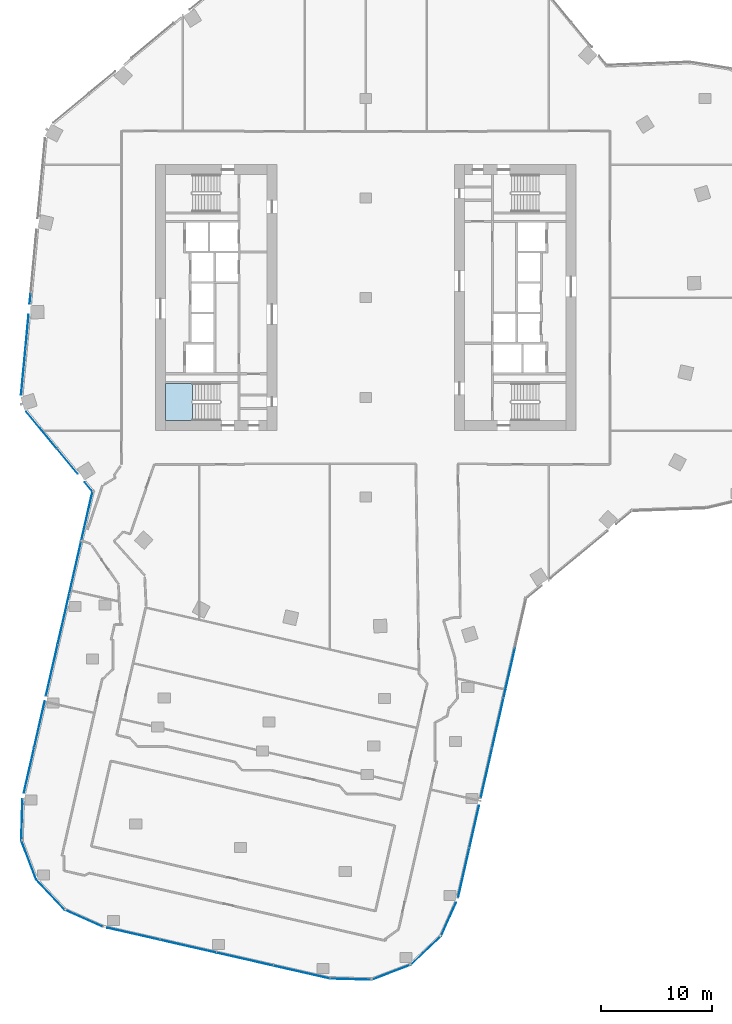
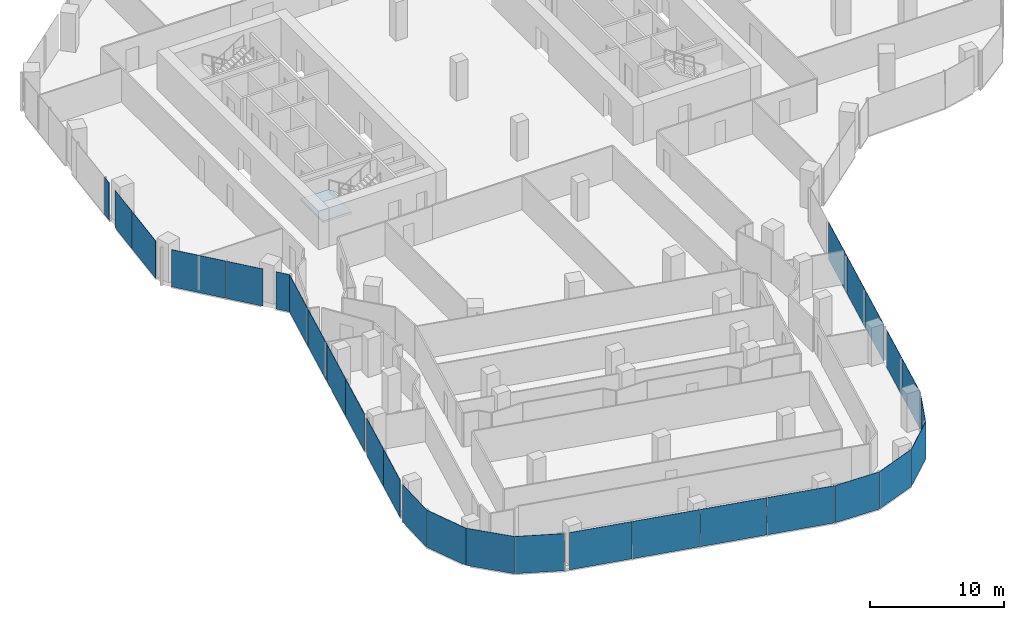
# One storey, part 14 of 24: 29 plates, 1 slab, 14 elements without a shape of their own.
"""IFC4 building model written with IfcOpenShell, lengths in metres."""

from ifc_helpers import new_model, si_unit, direction, frame, origin, origin_2d, place, context, subcontext, project, spatial, polyline, rectangle, outline, extrude, material, layer, layer_set, type_object, element, aggregate, save


model = new_model("IFC4")

# Units and contexts
model_context = context("Model", 3, precision=1e-05, world=origin(), true_north=direction((0.0, 1.0)))
body_context = subcontext(model_context, "Body", "Model", "MODEL_VIEW")
ifc_project = project(units=[si_unit("LENGTHUNIT", "METRE"), si_unit("AREAUNIT", "SQUARE_METRE"), si_unit("VOLUMEUNIT", "CUBIC_METRE"), si_unit("PLANEANGLEUNIT", "RADIAN"), si_unit("MASSUNIT", "GRAM", prefix="KILO")], contexts=[model_context])

# Site, building, storey
site_placement = place(None, origin())
site = spatial("IfcSite", under=ifc_project, at=site_placement, CompositionType="ELEMENT")
building_placement = place(site_placement, origin())
building = spatial("IfcBuilding", under=site, at=building_placement, Name="Orlundy Tower", CompositionType="ELEMENT")
storey_placement = place(building_placement, frame((0.0, 0.0, 170.60009765625)))
storey = spatial("IfcBuildingStorey", under=building, at=storey_placement, Name="L44", CompositionType="ELEMENT", Elevation=170.60009765625)

# Curtain wall, plates
ifc_material_1 = material(Name="Aluminium bronze anodised", Category="aluminium")
curtain_wall_type = type_object("IfcCurtainWallType", Name="CW1 wall", PredefinedType="NOTDEFINED", material=ifc_material_1)
curtain_wall_1_placement = place(storey_placement, origin())
curtain_wall_1 = element("IfcCurtainWall", 1, at=curtain_wall_1_placement, inside=storey, type_object=curtain_wall_type, Name="CW1 run 00", PredefinedType="NOTDEFINED")
ifc_material_2 = material(Name="Tinted glass", Category="glass")
ifc_layer_1 = layer(ifc_material_2, 0.031982421875)
ifc_layer_set_1 = layer_set([ifc_layer_1], Name="CW1 glass panel 32")
plate_type = type_object("IfcPlateType", Name="CW1 glass panel 32", PredefinedType="CURTAIN_PANEL", material=ifc_layer_set_1)
plate_1_placement = place(storey_placement, frame((-30.400390625, -42.668701171875, -0.300048828125), z_axis=(0.0, 0.0, 1.0), x_axis=(0.222096733251, 0.97502463614, 0.0)))
plate_1 = element("IfcPlate", 2, at=plate_1_placement, type_object=plate_type, Name="CW1 panel", PredefinedType="CURTAIN_PANEL", context=body_context, shape_type="SweptSolid", body=[
    extrude(rectangle(XDim=4.1708984375, YDim=0.031982421875, at=origin_2d()), origin(), (0.0, 0.0, 1.0), 3.3798828125),
])
plate_2_placement = place(storey_placement, frame((-29.45654296875, -38.52490234375, -0.300048828125), z_axis=(0.0, 0.0, 1.0), x_axis=(0.222096733251, 0.97502463614, 0.0)))
plate_2 = element("IfcPlate", 3, at=plate_2_placement, type_object=plate_type, Name="CW1 panel", PredefinedType="CURTAIN_PANEL", context=body_context, shape_type="SweptSolid", body=[
    extrude(rectangle(XDim=4.228759765625, YDim=0.031982421875, at=origin_2d()), origin(), (0.0, 0.0, 1.0), 3.3798828125),
])
plate_3_placement = place(storey_placement, frame((-28.347412109375, -33.656005859375, -0.300048828125), z_axis=(0.0, 0.0, 1.0), x_axis=(0.222096733251, 0.97502463614, 0.0)))
plate_3 = element("IfcPlate", 4, at=plate_3_placement, type_object=plate_type, Name="CW1 panel", PredefinedType="CURTAIN_PANEL", context=body_context, shape_type="SweptSolid", body=[
    extrude(rectangle(XDim=4.705322265625, YDim=0.031982421875, at=origin_2d()), origin(), (0.0, 0.0, 1.0), 3.3798828125),
])
plate_4_placement = place(storey_placement, frame((-27.291259765625, -29.019287109375, -0.300048828125), z_axis=(0.0, 0.0, 1.0), x_axis=(0.222096733251, 0.97502463614, 0.0)))
plate_4 = element("IfcPlate", 5, at=plate_4_placement, type_object=plate_type, Name="CW1 panel", PredefinedType="CURTAIN_PANEL", context=body_context, shape_type="SweptSolid", body=[
    extrude(rectangle(XDim=4.705322265625, YDim=0.031982421875, at=origin_2d()), origin(), (0.0, 0.0, 1.0), 3.3798828125),
])
plate_5_placement = place(storey_placement, frame((-26.235107421875, -24.382568359375, -0.300048828125), z_axis=(0.0, 0.0, 1.0), x_axis=(0.222096733251, 0.97502463614, 0.0)))
plate_5 = element("IfcPlate", 6, at=plate_5_placement, type_object=plate_type, Name="CW1 panel", PredefinedType="CURTAIN_PANEL", context=body_context, shape_type="SweptSolid", body=[
    extrude(rectangle(XDim=4.705322265625, YDim=0.031982421875, at=origin_2d()), origin(), (0.0, 0.0, 1.0), 3.3798828125),
])
plate_6_placement = place(storey_placement, frame((-25.185302734375, -19.773193359375, -0.300048828125), z_axis=(0.0, 0.0, 1.0), x_axis=(0.222096733251, 0.97502463614, 0.0)))
plate_6 = element("IfcPlate", 7, at=plate_6_placement, type_object=plate_type, Name="CW1 panel", PredefinedType="CURTAIN_PANEL", context=body_context, shape_type="SweptSolid", body=[
    extrude(rectangle(XDim=4.649658203125, YDim=0.031982421875, at=origin_2d()), origin(), (0.0, 0.0, 1.0), 3.3798828125),
])
aggregate(curtain_wall_1, [plate_1, plate_2, plate_3, plate_4, plate_5, plate_6])

curtain_wall_2_placement = place(storey_placement, origin())
curtain_wall_2 = element("IfcCurtainWall", 8, at=curtain_wall_2_placement, inside=storey, type_object=curtain_wall_type, Name="CW1 run 01", PredefinedType="NOTDEFINED")
plate_7_placement = place(storey_placement, frame((-25.015625, -17.08837890625, -0.300048828125), z_axis=(0.0, 0.0, 1.0), x_axis=(-0.638299162368, 0.769788399055, 0.0)))
plate_7 = element("IfcPlate", 9, at=plate_7_placement, type_object=plate_type, Name="CW1 panel", PredefinedType="CURTAIN_PANEL", context=body_context, shape_type="SweptSolid", body=[
    extrude(rectangle(XDim=1.086181640625, YDim=0.031982421875, at=origin_2d()), origin(), (0.0, 0.0, 1.0), 3.3798828125),
])
plate_8_placement = place(storey_placement, frame((-26.939453125, -14.76806640625, -0.300048828125), z_axis=(0.0, 0.0, 1.0), x_axis=(-0.638299162368, 0.769788399055, 0.0)))
plate_8 = element("IfcPlate", 10, at=plate_8_placement, type_object=plate_type, Name="CW1 panel", PredefinedType="CURTAIN_PANEL", context=body_context, shape_type="SweptSolid", body=[
    extrude(rectangle(XDim=2.910400390625, YDim=0.031982421875, at=origin_2d()), origin(), (0.0, 0.0, 1.0), 3.3798828125),
])
plate_9_placement = place(storey_placement, frame((-29.271240234375, -11.9560546875, -0.300048828125), z_axis=(0.0, 0.0, 1.0), x_axis=(-0.638299162368, 0.769788399055, 0.0)))
plate_9 = element("IfcPlate", 11, at=plate_9_placement, type_object=plate_type, Name="CW1 panel", PredefinedType="CURTAIN_PANEL", context=body_context, shape_type="SweptSolid", body=[
    extrude(rectangle(XDim=4.2958984375, YDim=0.031982421875, at=origin_2d()), origin(), (0.0, 0.0, 1.0), 3.3798828125),
])
aggregate(curtain_wall_2, [plate_7, plate_8, plate_9])

curtain_wall_3_placement = place(storey_placement, origin())
curtain_wall_3 = element("IfcCurtainWall", 12, at=curtain_wall_3_placement, inside=storey, type_object=curtain_wall_type, Name="CW1 run 02", PredefinedType="NOTDEFINED")
plate_10_placement = place(storey_placement, frame((-30.92138671875, -6.709228515625, -0.300048828125), z_axis=(0.0, 0.0, 1.0), x_axis=(0.092948066811, 0.995670958136, 0.0)))
plate_10 = element("IfcPlate", 13, at=plate_10_placement, type_object=plate_type, Name="CW1 panel", PredefinedType="CURTAIN_PANEL", context=body_context, shape_type="SweptSolid", body=[
    extrude(rectangle(XDim=4.14697265625, YDim=0.031982421875, at=origin_2d()), origin(), (0.0, 0.0, 1.0), 3.3798828125),
])
plate_11_placement = place(storey_placement, frame((-30.58203125, -3.073974609375, -0.300048828125), z_axis=(0.0, 0.0, 1.0), x_axis=(0.092948066811, 0.995670958136, 0.0)))
plate_11 = element("IfcPlate", 14, at=plate_11_placement, type_object=plate_type, Name="CW1 panel", PredefinedType="CURTAIN_PANEL", context=body_context, shape_type="SweptSolid", body=[
    extrude(rectangle(XDim=3.05517578125, YDim=0.031982421875, at=origin_2d()), origin(), (0.0, 0.0, 1.0), 3.3798828125),
])
plate_12_placement = place(storey_placement, frame((-30.305908203125, -0.1171875, -0.300048828125), z_axis=(0.0, 0.0, 1.0), x_axis=(0.092948066811, 0.995670958136, 0.0)))
plate_12 = element("IfcPlate", 15, at=plate_12_placement, type_object=plate_type, Name="CW1 panel", PredefinedType="CURTAIN_PANEL", context=body_context, shape_type="SweptSolid", body=[
    extrude(rectangle(XDim=0.846923828125, YDim=0.031982421875, at=origin_2d()), origin(), (0.0, 0.0, 1.0), 3.3798828125),
])
aggregate(curtain_wall_3, [plate_10, plate_11, plate_12])

curtain_wall_4_placement = place(storey_placement, origin())
curtain_wall_4 = element("IfcCurtainWall", 16, at=curtain_wall_4_placement, inside=storey, type_object=curtain_wall_type, Name="CW1 run 018", PredefinedType="NOTDEFINED")
plate_13_placement = place(storey_placement, frame((12.961181640625, -33.886962890625, -0.300048828125), z_axis=(0.0, 0.0, 1.0), x_axis=(-0.222106437373, -0.975022425628, 0.0)))
plate_13 = element("IfcPlate", 17, at=plate_13_placement, type_object=plate_type, Name="CW1 panel", PredefinedType="CURTAIN_PANEL", context=body_context, shape_type="SweptSolid", body=[
    extrude(rectangle(XDim=4.58056640625, YDim=0.031982421875, at=origin_2d()), origin(), (0.0, 0.0, 1.0), 3.3798828125),
])
plate_14_placement = place(storey_placement, frame((11.9326171875, -38.40185546875, -0.300048828125), z_axis=(0.0, 0.0, 1.0), x_axis=(-0.222106437373, -0.975022425628, 0.0)))
plate_14 = element("IfcPlate", 18, at=plate_14_placement, type_object=plate_type, Name="CW1 panel", PredefinedType="CURTAIN_PANEL", context=body_context, shape_type="SweptSolid", body=[
    extrude(rectangle(XDim=4.58056640625, YDim=0.031982421875, at=origin_2d()), origin(), (0.0, 0.0, 1.0), 3.3798828125),
])
plate_15_placement = place(storey_placement, frame((10.904052734375, -42.9169921875, -0.300048828125), z_axis=(0.0, 0.0, 1.0), x_axis=(-0.222106437373, -0.975022425628, 0.0)))
plate_15 = element("IfcPlate", 19, at=plate_15_placement, type_object=plate_type, Name="CW1 panel", PredefinedType="CURTAIN_PANEL", context=body_context, shape_type="SweptSolid", body=[
    extrude(rectangle(XDim=4.58056640625, YDim=0.031982421875, at=origin_2d()), origin(), (0.0, 0.0, 1.0), 3.3798828125),
])
plate_16_placement = place(storey_placement, frame((9.79833984375, -47.77099609375, -0.300048828125), z_axis=(0.0, 0.0, 1.0), x_axis=(-0.222106437373, -0.975022425628, 0.0)))
plate_16 = element("IfcPlate", 20, at=plate_16_placement, type_object=plate_type, Name="CW1 panel", PredefinedType="CURTAIN_PANEL", context=body_context, shape_type="SweptSolid", body=[
    extrude(rectangle(XDim=3.885009765625, YDim=0.031982421875, at=origin_2d()), origin(), (0.0, 0.0, 1.0), 3.3798828125),
])
plate_17_placement = place(storey_placement, frame((8.85400390625, -51.917236328125, -0.300048828125), z_axis=(0.0, 0.0, 1.0), x_axis=(-0.222106437373, -0.975022425628, 0.0)))
plate_17 = element("IfcPlate", 21, at=plate_17_placement, type_object=plate_type, Name="CW1 panel", PredefinedType="CURTAIN_PANEL", context=body_context, shape_type="SweptSolid", body=[
    extrude(rectangle(XDim=4.519775390625, YDim=0.031982421875, at=origin_2d()), origin(), (0.0, 0.0, 1.0), 3.3798828125),
])
aggregate(curtain_wall_4, [plate_13, plate_14, plate_15, plate_16, plate_17])

# Curtain wall, plate
curtain_wall_5_placement = place(storey_placement, origin())
curtain_wall_5 = element("IfcCurtainWall", 22, at=curtain_wall_5_placement, inside=storey, type_object=curtain_wall_type, Name="CW1 run 019", PredefinedType="NOTDEFINED")
plate_18_placement = place(storey_placement, frame((7.473388671875, -56.13427734375, -0.300048828125), z_axis=(0.0, 0.0, 1.0), x_axis=(-0.408164927627, -0.912908205602, 0.0)))
plate_18 = element("IfcPlate", 23, at=plate_18_placement, type_object=plate_type, Name="CW1 panel", PredefinedType="CURTAIN_PANEL", context=body_context, shape_type="SweptSolid", body=[
    extrude(rectangle(XDim=3.317626953125, YDim=0.031982421875, at=origin_2d()), origin(), (0.0, 0.0, 1.0), 3.3798828125),
])
aggregate(curtain_wall_5, [plate_18])

curtain_wall_6_placement = place(storey_placement, origin())
curtain_wall_6 = element("IfcCurtainWall", 24, at=curtain_wall_6_placement, inside=storey, type_object=curtain_wall_type, Name="CW1 run 020", PredefinedType="NOTDEFINED")
plate_19_placement = place(storey_placement, frame((5.42626953125, -58.945068359375, -0.300048828125), z_axis=(0.0, 0.0, 1.0), x_axis=(-0.726391984534, -0.687280644864, 0.0)))
plate_19 = element("IfcPlate", 25, at=plate_19_placement, type_object=plate_type, Name="CW1 panel", PredefinedType="CURTAIN_PANEL", context=body_context, shape_type="SweptSolid", body=[
    extrude(rectangle(XDim=3.772705078125, YDim=0.031982421875, at=origin_2d()), origin(), (0.0, 0.0, 1.0), 3.3798828125),
])
aggregate(curtain_wall_6, [plate_19])

curtain_wall_7_placement = place(storey_placement, origin())
curtain_wall_7 = element("IfcCurtainWall", 26, at=curtain_wall_7_placement, inside=storey, type_object=curtain_wall_type, Name="CW1 run 021", PredefinedType="NOTDEFINED")
plate_20_placement = place(storey_placement, frame((2.29443359375, -60.914794921875, -0.300048828125), z_axis=(0.0, 0.0, 1.0), x_axis=(-0.934115354942, -0.356971292489, 0.0)))
plate_20 = element("IfcPlate", 27, at=plate_20_placement, type_object=plate_type, Name="CW1 panel", PredefinedType="CURTAIN_PANEL", context=body_context, shape_type="SweptSolid", body=[
    extrude(rectangle(XDim=3.771484375, YDim=0.031982421875, at=origin_2d()), origin(), (0.0, 0.0, 1.0), 3.3798828125),
])
aggregate(curtain_wall_7, [plate_20])

curtain_wall_8_placement = place(storey_placement, origin())
curtain_wall_8 = element("IfcCurtainWall", 28, at=curtain_wall_8_placement, inside=storey, type_object=curtain_wall_type, Name="CW1 run 022", PredefinedType="NOTDEFINED")
plate_21_placement = place(storey_placement, frame((-1.331298828125, -61.53662109375, -0.300048828125), z_axis=(0.0, 0.0, 1.0), x_axis=(-0.999621254799, 0.02751993738, 0.0)))
plate_21 = element("IfcPlate", 29, at=plate_21_placement, type_object=plate_type, Name="CW1 panel", PredefinedType="CURTAIN_PANEL", context=body_context, shape_type="SweptSolid", body=[
    extrude(rectangle(XDim=3.72998046875, YDim=0.031982421875, at=origin_2d()), origin(), (0.0, 0.0, 1.0), 3.3798828125),
])
aggregate(curtain_wall_8, [plate_21])

# Curtain wall, plates
curtain_wall_9_placement = place(storey_placement, origin())
curtain_wall_9 = element("IfcCurtainWall", 30, at=curtain_wall_9_placement, inside=storey, type_object=curtain_wall_type, Name="CW1 run 023", PredefinedType="NOTDEFINED")
plate_22_placement = place(storey_placement, frame((-5.7880859375, -60.899658203125, -0.300048828125), z_axis=(0.0, 0.0, 1.0), x_axis=(-0.975026093537, 0.222090335048, 0.0)))
plate_22 = element("IfcPlate", 31, at=plate_22_placement, type_object=plate_type, Name="CW1 panel", PredefinedType="CURTAIN_PANEL", context=body_context, shape_type="SweptSolid", body=[
    extrude(rectangle(XDim=5.216064453125, YDim=0.031982421875, at=origin_2d()), origin(), (0.0, 0.0, 1.0), 3.3798828125),
])
plate_23_placement = place(storey_placement, frame((-10.9150390625, -59.73193359375, -0.300048828125), z_axis=(0.0, 0.0, 1.0), x_axis=(-0.975026093537, 0.222090335048, 0.0)))
plate_23 = element("IfcPlate", 32, at=plate_23_placement, type_object=plate_type, Name="CW1 panel", PredefinedType="CURTAIN_PANEL", context=body_context, shape_type="SweptSolid", body=[
    extrude(rectangle(XDim=5.2001953125, YDim=0.031982421875, at=origin_2d()), origin(), (0.0, 0.0, 1.0), 3.3798828125),
])
plate_24_placement = place(storey_placement, frame((-16.033935546875, -58.56591796875, -0.300048828125), z_axis=(0.0, 0.0, 1.0), x_axis=(-0.975026093537, 0.222090335048, 0.0)))
plate_24 = element("IfcPlate", 33, at=plate_24_placement, type_object=plate_type, Name="CW1 panel", PredefinedType="CURTAIN_PANEL", context=body_context, shape_type="SweptSolid", body=[
    extrude(rectangle(XDim=5.2001953125, YDim=0.031982421875, at=origin_2d()), origin(), (0.0, 0.0, 1.0), 3.3798828125),
])
plate_25_placement = place(storey_placement, frame((-20.98486328125, -57.438232421875, -0.300048828125), z_axis=(0.0, 0.0, 1.0), x_axis=(-0.975026093537, 0.222090335048, 0.0)))
plate_25 = element("IfcPlate", 34, at=plate_25_placement, type_object=plate_type, Name="CW1 panel", PredefinedType="CURTAIN_PANEL", context=body_context, shape_type="SweptSolid", body=[
    extrude(rectangle(XDim=4.85546875, YDim=0.031982421875, at=origin_2d()), origin(), (0.0, 0.0, 1.0), 3.3798828125),
])
aggregate(curtain_wall_9, [plate_22, plate_23, plate_24, plate_25])

# Curtain wall, plate
curtain_wall_10_placement = place(storey_placement, origin())
curtain_wall_10 = element("IfcCurtainWall", 35, at=curtain_wall_10_placement, inside=storey, type_object=curtain_wall_type, Name="CW1 run 024", PredefinedType="NOTDEFINED")
plate_26_placement = place(storey_placement, frame((-25.453857421875, -56.041748046875, -0.300048828125), z_axis=(0.0, 0.0, 1.0), x_axis=(-0.912908205602, 0.408164927627, 0.0)))
plate_26 = element("IfcPlate", 36, at=plate_26_placement, type_object=plate_type, Name="CW1 panel", PredefinedType="CURTAIN_PANEL", context=body_context, shape_type="SweptSolid", body=[
    extrude(rectangle(XDim=3.73046875, YDim=0.031982421875, at=origin_2d()), origin(), (0.0, 0.0, 1.0), 3.3798828125),
])
aggregate(curtain_wall_10, [plate_26])

curtain_wall_11_placement = place(storey_placement, origin())
curtain_wall_11 = element("IfcCurtainWall", 37, at=curtain_wall_11_placement, inside=storey, type_object=curtain_wall_type, Name="CW1 run 025", PredefinedType="NOTDEFINED")
plate_27_placement = place(storey_placement, frame((-28.45263671875, -53.91015625, -0.300048828125), z_axis=(0.0, 0.0, 1.0), x_axis=(-0.68713828172, 0.726526655942, 0.0)))
plate_27 = element("IfcPlate", 38, at=plate_27_placement, type_object=plate_type, Name="CW1 panel", PredefinedType="CURTAIN_PANEL", context=body_context, shape_type="SweptSolid", body=[
    extrude(rectangle(XDim=3.77197265625, YDim=0.031982421875, at=origin_2d()), origin(), (0.0, 0.0, 1.0), 3.3798828125),
])
aggregate(curtain_wall_11, [plate_27])

curtain_wall_12_placement = place(storey_placement, origin())
curtain_wall_12 = element("IfcCurtainWall", 39, at=curtain_wall_12_placement, inside=storey, type_object=curtain_wall_type, Name="CW1 run 026", PredefinedType="NOTDEFINED")
plate_28_placement = place(storey_placement, frame((-30.422119140625, -50.778564453125, -0.300048828125), z_axis=(0.0, 0.0, 1.0), x_axis=(-0.357206695331, 0.934025361974, 0.0)))
plate_28 = element("IfcPlate", 40, at=plate_28_placement, type_object=plate_type, Name="CW1 panel", PredefinedType="CURTAIN_PANEL", context=body_context, shape_type="SweptSolid", body=[
    extrude(rectangle(XDim=3.771728515625, YDim=0.031982421875, at=origin_2d()), origin(), (0.0, 0.0, 1.0), 3.3798828125),
])
aggregate(curtain_wall_12, [plate_28])

curtain_wall_13_placement = place(storey_placement, origin())
curtain_wall_13 = element("IfcCurtainWall", 41, at=curtain_wall_13_placement, inside=storey, type_object=curtain_wall_type, Name="CW1 run 027", PredefinedType="NOTDEFINED")
plate_29_placement = place(storey_placement, frame((-31.0439453125, -47.15283203125, -0.300048828125), z_axis=(0.0, 0.0, 1.0), x_axis=(0.027789533343, 0.999613796342, 0.0)))
plate_29 = element("IfcPlate", 42, at=plate_29_placement, type_object=plate_type, Name="CW1 panel", PredefinedType="CURTAIN_PANEL", context=body_context, shape_type="SweptSolid", body=[
    extrude(rectangle(XDim=3.72998046875, YDim=0.031982421875, at=origin_2d()), origin(), (0.0, 0.0, 1.0), 3.3798828125),
])
aggregate(curtain_wall_13, [plate_29])

# Stair, slab
ifc_material_3 = material(Name="Concrete C50/60", Category="concrete")
stair_type = type_object("IfcStairType", Name="Exit Stair 20 risers", PredefinedType="HALF_TURN_STAIR", material=ifc_material_3)
stair_placement = place(storey_placement, origin())
stair = element("IfcStair", 43, at=stair_placement, inside=storey, type_object=stair_type, Name="L44 Exit Stair ST-W2", PredefinedType="HALF_TURN_STAIR")
ifc_material_4 = material(Name="Concrete C50/60", Category="concrete")
ifc_layer_2 = layer(ifc_material_4, 0.199951171875)
ifc_layer_set_2 = layer_set([ifc_layer_2], Name="Exit Stair Landing")
slab_type = type_object("IfcSlabType", Name="Exit Stair Landing", PredefinedType="LANDING", material=ifc_layer_set_2)
slab_placement = place(storey_placement, frame((0.0, 0.0, 1.5498046875)))
slab = element("IfcSlab", 44, at=slab_placement, type_object=slab_type, Name="ST-W2 landing 1", PredefinedType="LANDING", context=body_context, shape_type="SweptSolid", body=[
    extrude(outline(polyline([(-15.659912109375, -7.75), (-18.10009765625, -7.75), (-18.10009765625, -11.10009765625), (-15.659912109375, -11.10009765625), (-15.659912109375, -7.75)])), origin(), (0.0, 0.0, 1.0), 0.2001953125),
])
aggregate(stair, [slab])

save(model, "model.ifc")
